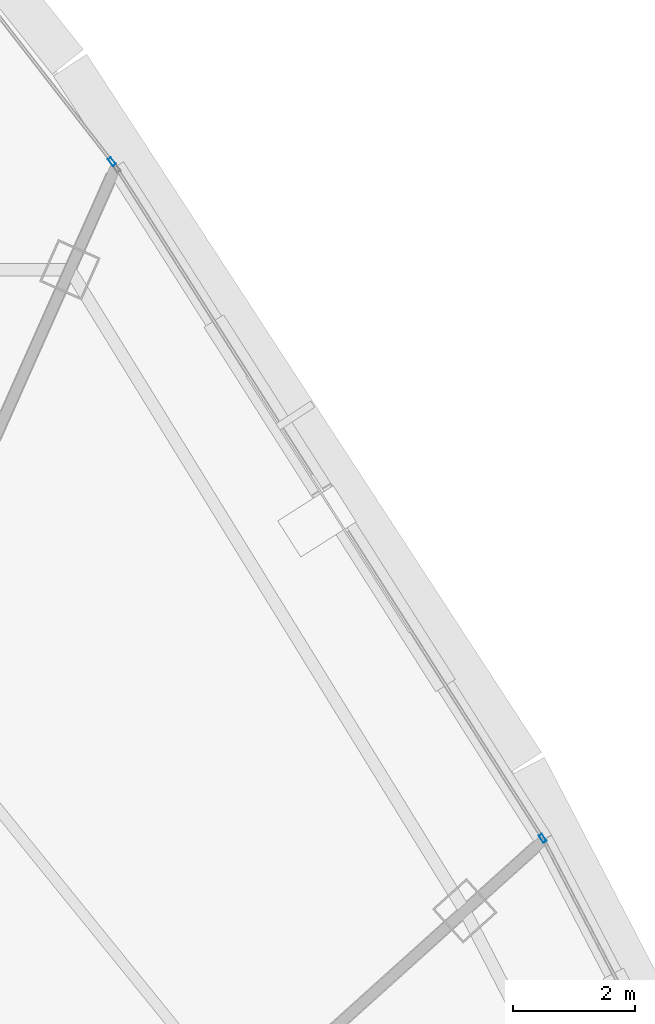
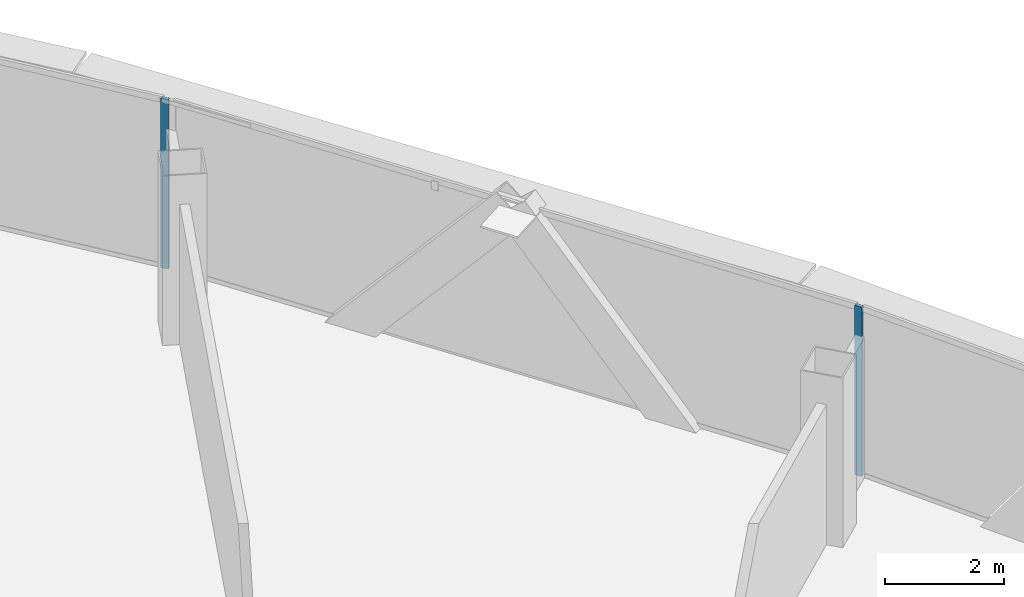
# One storey, part 24 of 33: 2 members, 2 elements without a shape of their own.
"""IFC4 building model written with IfcOpenShell, lengths in metres."""

import ifcopenshell
import ifcopenshell.guid

model = None  # the IFC model being written
_history = None  # IfcOwnerHistory: only IFC2X3 demands one
_inside = {}  # id of a spatial element -> (the spatial element, [elements in it])
_under = {}  # id of a project, library or spatial element -> (it, [spatial elements below it])
_declared = {}  # id of a project -> (the project, [libraries it declares])
_typed = {}  # id of a type object -> (the type object, [elements of that type])
_made_of = {}  # id of a material, layer set ... -> (it, [elements and type objects made of it])


def new_model(schema):
    """Start an empty IFC model of exactly this schema.

    Asked for "IFC4X3", IfcOpenShell would pick the latest addendum, in which some entities
    have other attributes; the version numbers below select the first issue.
    IFC2X3 requires an IfcOwnerHistory on every rooted entity: one is made here for all.
    """
    global model, _history
    if schema == "IFC4X3":
        model = ifcopenshell.file(schema_version=(4, 3, 0, 0))
    else:
        model = ifcopenshell.file(schema=schema)
    _inside.clear()
    _under.clear()
    _declared.clear()
    _typed.clear()
    _made_of.clear()
    _history = None
    if model.schema == "IFC2X3":
        org = make("IfcOrganization", Name="unknown")
        user = make(
            "IfcPersonAndOrganization",
            ThePerson=make("IfcPerson", FamilyName="unknown"),
            TheOrganization=org,
        )
        app = make(
            "IfcApplication",
            ApplicationDeveloper=org,
            Version="unknown",
            ApplicationFullName="unknown",
            ApplicationIdentifier="unknown",
        )
        _history = make(
            "IfcOwnerHistory",
            OwningUser=user,
            OwningApplication=app,
            ChangeAction="ADDED",
            CreationDate=0,
        )
    return model


def make(cls, **values):
    """One entity of the class cls with the attributes given. An attribute that is None is left unset."""
    return model.create_entity(
        cls, **{name: value for name, value in values.items() if value is not None}
    )


def rooted(cls, **values):
    """An entity with a GlobalId (a new one), such as an element, a storey or a relation."""
    return make(cls, GlobalId=ifcopenshell.guid.new(), OwnerHistory=_history, **values)


def si_unit(unit_type, name, prefix=None):
    """IfcSIUnit, for example si_unit("LENGTHUNIT", "METRE", prefix="MILLI")."""
    return make("IfcSIUnit", UnitType=unit_type, Prefix=prefix, Name=name)


def assignment(units):
    """IfcUnitAssignment: the units of a project."""
    return None if units is None else make("IfcUnitAssignment", Units=units)


def point(xyz):
    """IfcCartesianPoint."""
    return None if xyz is None else make("IfcCartesianPoint", Coordinates=xyz)


def direction(xyz):
    """IfcDirection."""
    return None if xyz is None else make("IfcDirection", DirectionRatios=xyz)


def frame(location, z_axis=None, x_axis=None):
    """IfcAxis2Placement3D, a coordinate frame: its origin and axes. An axis left out is left unset."""
    return make(
        "IfcAxis2Placement3D",
        Location=point(location),
        Axis=direction(z_axis),
        RefDirection=direction(x_axis),
    )


def frame_2d(location, x_axis=None):
    """IfcAxis2Placement2D, a coordinate frame in the plane: its origin and x axis."""
    return make(
        "IfcAxis2Placement2D", Location=point(location), RefDirection=direction(x_axis)
    )


def origin():
    """The frame at (0, 0, 0) with its axes left unset."""
    return frame((0.0, 0.0, 0.0))


def origin_2d():
    """The frame at (0, 0) in the plane with its x axis left unset."""
    return frame_2d((0.0, 0.0))


def place(relative_to, where):
    """IfcLocalPlacement: puts the frame where relative to a parent placement (None: the world)."""
    return make(
        "IfcLocalPlacement", PlacementRelTo=relative_to, RelativePlacement=where
    )


def context(
    kind, dimensions, precision=None, world=None, true_north=None, identifier=None
):
    """IfcGeometricRepresentationContext, for example the 3D "Model" context."""
    return make(
        "IfcGeometricRepresentationContext",
        ContextIdentifier=identifier,
        ContextType=kind,
        CoordinateSpaceDimension=dimensions,
        Precision=precision,
        WorldCoordinateSystem=world,
        TrueNorth=true_north,
    )


def subcontext(parent, identifier, kind, view, scale=None):
    """IfcGeometricRepresentationSubContext, for example "Body" below "Model"."""
    return make(
        "IfcGeometricRepresentationSubContext",
        ContextIdentifier=identifier,
        ContextType=kind,
        ParentContext=parent,
        TargetScale=scale,
        TargetView=view,
    )


def project(units=None, contexts=None):
    """IfcProject with its units and contexts."""
    return rooted(
        "IfcProject",
        Name="project",
        RepresentationContexts=contexts,
        UnitsInContext=assignment(units),
    )


def spatial(cls, under=None, at=None, **own):
    """A site, building, storey or space (cls), placed at a placement, below another one or the project."""
    s = rooted(cls, ObjectPlacement=at, **own)
    if under is not None:
        _under.setdefault(under.id(), (under, []))[1].append(s)
    return s


def profile(cls, at=None, kind="AREA", **sizes):
    """A parametric profile (cls). Its sizes go by their IFC names, for example OverallWidth=200.0."""
    return make(cls, ProfileType=kind, Position=at, **sizes)


def hollow_rectangle(**sizes):
    """IfcRectangleHollowProfileDef."""
    return profile("IfcRectangleHollowProfileDef", **sizes)


def extrude(swept, where, along, depth):
    """IfcExtrudedAreaSolid: the profile swept, set in the frame where, extruded along a direction by depth."""
    return make(
        "IfcExtrudedAreaSolid",
        SweptArea=swept,
        Position=where,
        ExtrudedDirection=direction(along),
        Depth=depth,
    )


def shape(context_of_items, identifier, shape_type, items):
    """IfcShapeRepresentation: the items that make up one representation, for example the "Body"."""
    return make(
        "IfcShapeRepresentation",
        ContextOfItems=context_of_items,
        RepresentationIdentifier=identifier,
        RepresentationType=shape_type,
        Items=items,
    )


def source(mapping_origin, context_of_items, identifier, shape_type, items):
    """IfcRepresentationMap: a shape defined once, which mapped items show again and again."""
    return make(
        "IfcRepresentationMap",
        MappingOrigin=mapping_origin,
        MappedRepresentation=shape(context_of_items, identifier, shape_type, items),
    )


def transform(
    local_origin,
    x_axis=None,
    y_axis=None,
    z_axis=None,
    scale=None,
    scale2=None,
    scale3=None,
    uniform=True,
):
    """IfcCartesianTransformationOperator3D, or its non-uniform kind. x_axis, y_axis, z_axis: its Axis1, 2, 3."""
    if uniform:
        return make(
            "IfcCartesianTransformationOperator3D",
            Axis1=direction(x_axis),
            Axis2=direction(y_axis),
            LocalOrigin=point(local_origin),
            Scale=scale,
            Axis3=direction(z_axis),
        )
    return make(
        "IfcCartesianTransformationOperator3DnonUniform",
        Axis1=direction(x_axis),
        Axis2=direction(y_axis),
        LocalOrigin=point(local_origin),
        Scale=scale,
        Axis3=direction(z_axis),
        Scale2=scale2,
        Scale3=scale3,
    )


def mapped(mapping_source, mapping_target):
    """IfcMappedItem: shows the shape of a source again, moved by a transform."""
    return make(
        "IfcMappedItem", MappingSource=mapping_source, MappingTarget=mapping_target
    )


def material(Name=None, Category=None):
    """IfcMaterial."""
    return make("IfcMaterial", Name=Name, Category=Category)


def layer(
    of_material, thickness, ventilated=None, Name=None, Category=None, Priority=None
):
    """IfcMaterialLayer: one layer of a wall or slab, of a material (None: an air gap)."""
    return make(
        "IfcMaterialLayer",
        Material=of_material,
        LayerThickness=thickness,
        IsVentilated=ventilated,
        Name=Name,
        Category=Category,
        Priority=Priority,
    )


def layer_set(layers, Name=None):
    """IfcMaterialLayerSet."""
    return make("IfcMaterialLayerSet", MaterialLayers=layers, LayerSetName=Name)


def material_profile(
    of_material, cross_section, Name=None, Category=None, Priority=None
):
    """IfcMaterialProfile: a cross section and its material."""
    return make(
        "IfcMaterialProfile",
        Name=Name,
        Material=of_material,
        Profile=cross_section,
        Priority=Priority,
        Category=Category,
    )


def profile_set(profiles, Name=None, composite=None):
    """IfcMaterialProfileSet."""
    return make(
        "IfcMaterialProfileSet",
        Name=Name,
        MaterialProfiles=profiles,
        CompositeProfile=composite,
    )


def made_of(thing, what):
    """Note that an element or type object is made of a material, layer set ...; save() writes the relation."""
    if what is not None:
        _made_of.setdefault(what.id(), (what, []))[1].append(thing)
    return thing


def type_object(cls, material=None, **own):
    """A type object (cls), such as IfcWallType, which elements share."""
    return made_of(rooted(cls, **own), material)


def element(
    cls,
    number,
    at=None,
    inside=None,
    cuts=None,
    type_object=None,
    material=None,
    context=None,
    identifier="Body",
    shape_type=None,
    held_by="IfcProductDefinitionShape",
    body=None,
    shapes=None,
    **own,
):
    """One element of the class cls, such as IfcWall. Its Tag is "e" and its number.

    at: its placement. inside: the storey or other place that contains it. cuts: it is an
    opening in that element (IfcRelVoidsElement). A single representation is given by context,
    identifier, shape_type and body (its items); several are given by shapes. held_by: the class
    of the entity that holds the representations. save() writes the other relations.
    """
    e = rooted(cls, Tag="e%d" % number, ObjectPlacement=at, **own)
    if body is not None:
        shapes = [shape(context, identifier, shape_type, body)]
    if shapes is not None:
        e.Representation = make(held_by, Representations=shapes)
    if inside is not None:
        _inside.setdefault(inside.id(), (inside, []))[1].append(e)
    if cuts is not None:
        rooted(
            "IfcRelVoidsElement", RelatingBuildingElement=cuts, RelatedOpeningElement=e
        )
    if type_object is not None:
        _typed.setdefault(type_object.id(), (type_object, []))[1].append(e)
    return made_of(e, material)


def aggregate(whole, parts):
    """IfcRelAggregates: a whole, such as a stair, and the parts it consists of."""
    return rooted("IfcRelAggregates", RelatingObject=whole, RelatedObjects=parts)


def save(model, path):
    """Write the relations noted so far, then the file.

    IfcRelAggregates (storeys below a building ...), IfcRelContainedInSpatialStructure (elements
    in a storey), IfcRelDefinesByType, IfcRelAssociatesMaterial and IfcRelDeclares: one each for
    every whole, place, type object, material and project.
    """
    for whole, parts in _under.values():
        aggregate(whole, parts)
    for where, things in _inside.values():
        rooted(
            "IfcRelContainedInSpatialStructure",
            RelatedElements=things,
            RelatingStructure=where,
        )
    for kind, things in _typed.values():
        rooted("IfcRelDefinesByType", RelatedObjects=things, RelatingType=kind)
    for what, things in _made_of.values():
        rooted("IfcRelAssociatesMaterial", RelatedObjects=things, RelatingMaterial=what)
    for by, libraries in _declared.values():
        rooted("IfcRelDeclares", RelatingContext=by, RelatedDefinitions=libraries)
    model.write(path)


model = new_model("IFC4")

# Units and contexts
model_context = context("Model", 3, precision=1e-05, world=origin(), true_north=direction((0.0, 1.0)))
body_context = subcontext(model_context, "Body", "Model", "MODEL_VIEW")
ifc_project = project(units=[si_unit("LENGTHUNIT", "METRE"), si_unit("AREAUNIT", "SQUARE_METRE"), si_unit("VOLUMEUNIT", "CUBIC_METRE"), si_unit("PLANEANGLEUNIT", "RADIAN"), si_unit("MASSUNIT", "GRAM", prefix="KILO"), si_unit("THERMODYNAMICTEMPERATUREUNIT", "KELVIN"), si_unit("POWERUNIT", "WATT")], contexts=[model_context])

# Site, building, storey
site_placement = place(None, origin())
site = spatial("IfcSite", under=ifc_project, at=site_placement, CompositionType="ELEMENT")
building_placement = place(site_placement, origin())
building = spatial("IfcBuilding", under=site, at=building_placement, Name="Yunzhuo Pagoda Commons", CompositionType="ELEMENT")
storey_placement = place(building_placement, frame((0.0, 0.0, 307.39990234375)))
storey = spatial("IfcBuildingStorey", under=building, at=storey_placement, Name="L77", CompositionType="ELEMENT", Elevation=307.39990234375)

# Curtain wall, member
ifc_material = material(Name="Anodized aluminium 6063-T6", Category="aluminium")
ifc_layer = layer(ifc_material, 0.139892578125)
ifc_layer_set = layer_set([ifc_layer], Name="Anodized aluminium 6063-T6")
curtain_wall_type = type_object("IfcCurtainWallType", Name="CW-HI High-Zone Ribbon Curtain Wall", PredefinedType="NOTDEFINED", material=ifc_layer_set)
curtain_wall_1_placement = place(storey_placement, origin())
curtain_wall_1 = element("IfcCurtainWall", 1, at=curtain_wall_1_placement, inside=storey, type_object=curtain_wall_type, Name="L77 curtain wall CW-L77-F2B4", PredefinedType="NOTDEFINED")
ifc_material_profile = material_profile(ifc_material, hollow_rectangle(XDim=0.06005859375, YDim=0.139892578125, WallThickness=0.00341796875, at=origin_2d()), Name="Anodized aluminium 6063-T6")
ifc_profile_set = profile_set([ifc_material_profile], Name="Anodized aluminium 6063-T6")
member_type = type_object("IfcMemberType", Name="CW-HI-M Mullion RHS 140x60x3.5", PredefinedType="MULLION", material=ifc_profile_set)
shared_shape = source(origin(), body_context, "Body", "SweptSolid", [
    extrude(hollow_rectangle(XDim=0.06005859375, YDim=0.139892578125, WallThickness=0.00341796875, at=origin_2d()), origin(), (0.0, 0.0, 1.0), 3.47021484375),
])
member_1_placement = place(storey_placement, frame((67.84716796875, 51.610107421875, 0.0), z_axis=(0.0, 0.0, 1.0), x_axis=(-0.843909804597, -0.536485080599, 0.0)))
member_1 = element("IfcMember", 2, at=member_1_placement, type_object=member_type, Name="CW mullion 1", PredefinedType="MULLION", context=body_context, shape_type="MappedRepresentation", body=[
    mapped(shared_shape, transform((0.0, 0.0, 0.0), scale=1.0)),
])
aggregate(curtain_wall_1, [member_1])

curtain_wall_2_placement = place(storey_placement, origin())
curtain_wall_2 = element("IfcCurtainWall", 3, at=curtain_wall_2_placement, inside=storey, type_object=curtain_wall_type, Name="L77 curtain wall CW-L77-F2B5", PredefinedType="NOTDEFINED")
member_2_placement = place(storey_placement, frame((60.800048828125, 62.677001953125, 0.0), z_axis=(0.0, 0.0, 1.0), x_axis=(-0.78943032712, -0.613840173517, 0.0)))
member_2 = element("IfcMember", 4, at=member_2_placement, type_object=member_type, Name="CW mullion 1", PredefinedType="MULLION", context=body_context, shape_type="MappedRepresentation", body=[
    mapped(shared_shape, transform((0.0, 0.0, 0.0), scale=1.0)),
])
aggregate(curtain_wall_2, [member_2])

save(model, "model.ifc")
